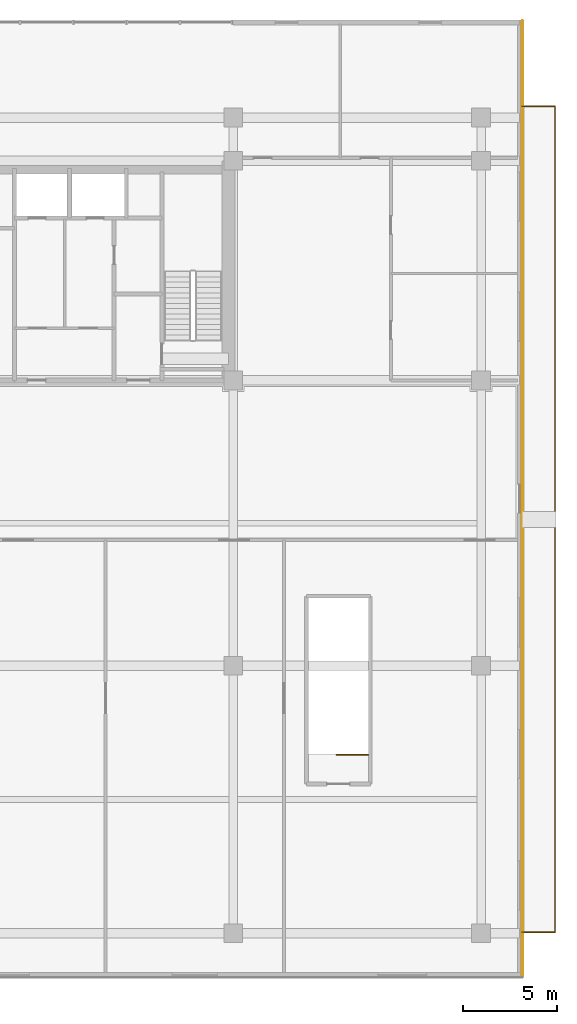
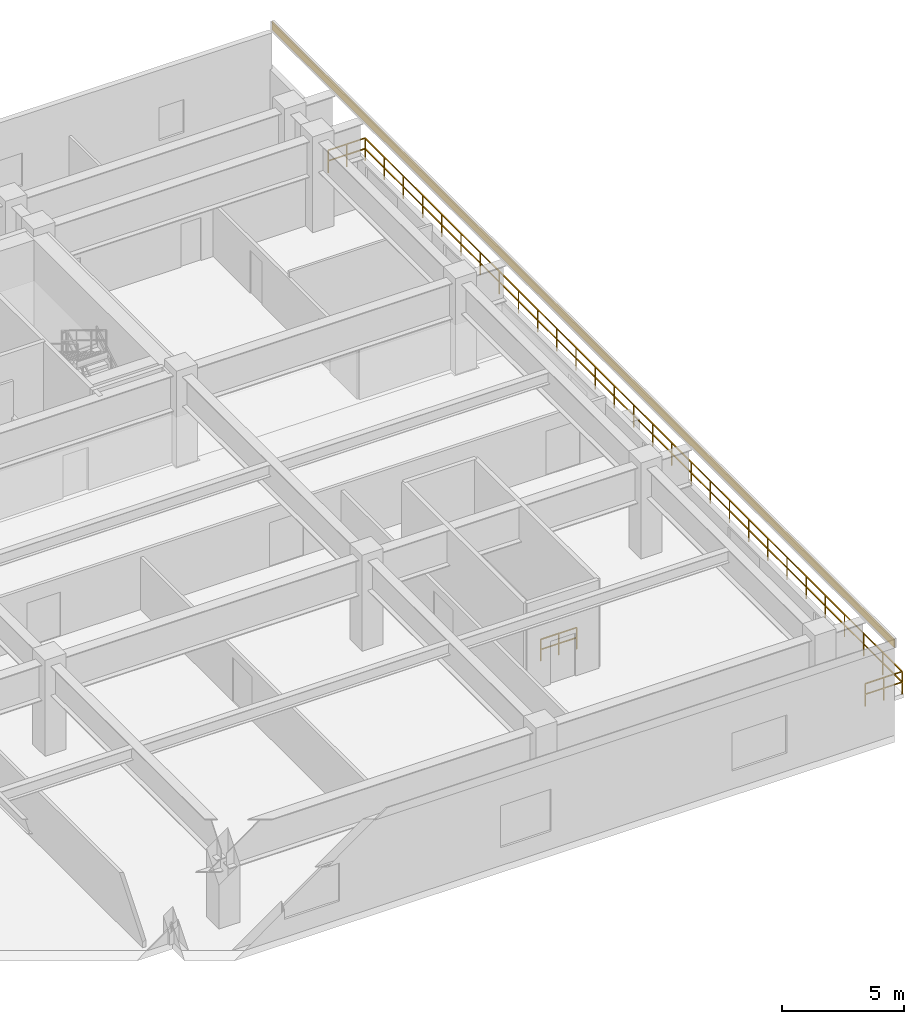
# One storey, part 17 of 17: 4 railings, 1 covering.
"""IFC4 building model written with IfcOpenShell, lengths in metres."""

from ifc_helpers import new_model, si_unit, direction, frame, origin, origin_2d, place, context, subcontext, project, spatial, rectangle, extrude, source, transform, mapped, material, layer, layer_set, type_object, element, save


model = new_model("IFC4")

# Units and contexts
model_context = context("Model", 3, precision=1e-05, world=origin(), true_north=direction((0.0, 1.0)))
body_context = subcontext(model_context, "Body", "Model", "MODEL_VIEW")
ifc_project = project(units=[si_unit("LENGTHUNIT", "METRE"), si_unit("AREAUNIT", "SQUARE_METRE"), si_unit("VOLUMEUNIT", "CUBIC_METRE"), si_unit("PLANEANGLEUNIT", "RADIAN"), si_unit("MASSUNIT", "GRAM", prefix="KILO")], contexts=[model_context])

# Site, building, storey
site_placement = place(None, origin())
site = spatial("IfcSite", under=ifc_project, at=site_placement, CompositionType="ELEMENT")
building_placement = place(site_placement, origin())
building = spatial("IfcBuilding", under=site, at=building_placement, Name="Trelvane Seafront Commons", CompositionType="ELEMENT")
storey_placement = place(building_placement, frame((0.0, 0.0, 18.699951171875)))
storey = spatial("IfcBuildingStorey", under=building, at=storey_placement, Name="L04", CompositionType="ELEMENT", Elevation=18.699951171875)

# Railings
ifc_material_1 = material(Name="Stainless steel balustrade", Category="steel")
railing_type_1 = type_object("IfcRailingType", Name="ARCH-RAIL-BAL1150", PredefinedType="BALUSTRADE", material=ifc_material_1)
railing_1_placement = place(storey_placement, frame((74.199951171875, 4.0, 0.0)))
element("IfcRailing", 1, at=railing_1_placement, inside=storey, type_object=railing_type_1, Name="RL-L04-TR1-01", PredefinedType="BALUSTRADE", context=body_context, shape_type="SweptSolid", body=[
    extrude(rectangle(XDim=0.048095703125, YDim=0.048095703125, at=origin_2d()), frame((0.0, 0.0, 1.1259765625), z_axis=(1.0, 0.0, 0.0), x_axis=(0.0, 1.0, 0.0)), (0.0, 0.0, 1.0), 1.739990234375),
    extrude(rectangle(XDim=0.048095703125, YDim=0.048095703125, at=origin_2d()), frame((0.0, 0.0, 0.597900390625), z_axis=(1.0, 0.0, 0.0), x_axis=(0.0, 1.0, 0.0)), (0.0, 0.0, 1.0), 1.739990234375),
    extrude(rectangle(XDim=0.0419921875, YDim=0.0419921875, at=origin_2d()), origin(), (0.0, 0.0, 1.0), 1.1259765625),
    extrude(rectangle(XDim=0.0419921875, YDim=0.0419921875, at=origin_2d()), frame((0.8701171875, 0.0, 0.0)), (0.0, 0.0, 1.0), 1.1259765625),
    extrude(rectangle(XDim=0.0419921875, YDim=0.0419921875, at=origin_2d()), frame((1.739990234375, 0.0, 0.0)), (0.0, 0.0, 1.0), 1.1259765625),
])
railing_2_placement = place(storey_placement, frame((75.93994140625, 4.0, 0.0)))
element("IfcRailing", 2, at=railing_2_placement, inside=storey, type_object=railing_type_1, Name="RL-L04-TR1-02", PredefinedType="BALUSTRADE", context=body_context, shape_type="SweptSolid", body=[
    extrude(rectangle(XDim=0.048095703125, YDim=0.048095703125, at=origin_2d()), frame((0.0, 0.0, 1.1259765625), z_axis=(0.0, 1.0, 0.0), x_axis=(-1.0, 0.0, 0.0)), (0.0, 0.0, 1.0), 44.0),
    extrude(rectangle(XDim=0.048095703125, YDim=0.048095703125, at=origin_2d()), frame((0.0, 0.0, 0.597900390625), z_axis=(0.0, 1.0, 0.0), x_axis=(-1.0, 0.0, 0.0)), (0.0, 0.0, 1.0), 44.0),
    extrude(rectangle(XDim=0.0419921875, YDim=0.0419921875, at=origin_2d()), origin(), (0.0, 0.0, 1.0), 1.1259765625),
    extrude(rectangle(XDim=0.0419921875, YDim=0.0419921875, at=origin_2d()), frame((0.0, 1.571533203125, 0.0)), (0.0, 0.0, 1.0), 1.1259765625),
    extrude(rectangle(XDim=0.0419921875, YDim=0.0419921875, at=origin_2d()), frame((0.0, 3.142822265625, 0.0)), (0.0, 0.0, 1.0), 1.1259765625),
    extrude(rectangle(XDim=0.0419921875, YDim=0.0419921875, at=origin_2d()), frame((0.0, 4.71435546875, 0.0)), (0.0, 0.0, 1.0), 1.1259765625),
    extrude(rectangle(XDim=0.0419921875, YDim=0.0419921875, at=origin_2d()), frame((0.0, 6.28564453125, 0.0)), (0.0, 0.0, 1.0), 1.1259765625),
    extrude(rectangle(XDim=0.0419921875, YDim=0.0419921875, at=origin_2d()), frame((0.0, 7.857177734375, 0.0)), (0.0, 0.0, 1.0), 1.1259765625),
    extrude(rectangle(XDim=0.0419921875, YDim=0.0419921875, at=origin_2d()), frame((0.0, 9.428466796875, 0.0)), (0.0, 0.0, 1.0), 1.1259765625),
    extrude(rectangle(XDim=0.0419921875, YDim=0.0419921875, at=origin_2d()), frame((0.0, 11.0, 0.0)), (0.0, 0.0, 1.0), 1.1259765625),
    extrude(rectangle(XDim=0.0419921875, YDim=0.0419921875, at=origin_2d()), frame((0.0, 12.571533203125, 0.0)), (0.0, 0.0, 1.0), 1.1259765625),
    extrude(rectangle(XDim=0.0419921875, YDim=0.0419921875, at=origin_2d()), frame((0.0, 14.142822265625, 0.0)), (0.0, 0.0, 1.0), 1.1259765625),
    extrude(rectangle(XDim=0.0419921875, YDim=0.0419921875, at=origin_2d()), frame((0.0, 15.71435546875, 0.0)), (0.0, 0.0, 1.0), 1.1259765625),
    extrude(rectangle(XDim=0.0419921875, YDim=0.0419921875, at=origin_2d()), frame((0.0, 17.28564453125, 0.0)), (0.0, 0.0, 1.0), 1.1259765625),
    extrude(rectangle(XDim=0.0419921875, YDim=0.0419921875, at=origin_2d()), frame((0.0, 18.857177734375, 0.0)), (0.0, 0.0, 1.0), 1.1259765625),
    extrude(rectangle(XDim=0.0419921875, YDim=0.0419921875, at=origin_2d()), frame((0.0, 20.428466796875, 0.0)), (0.0, 0.0, 1.0), 1.1259765625),
    extrude(rectangle(XDim=0.0419921875, YDim=0.0419921875, at=origin_2d()), frame((0.0, 22.0, 0.0)), (0.0, 0.0, 1.0), 1.1259765625),
    extrude(rectangle(XDim=0.0419921875, YDim=0.0419921875, at=origin_2d()), frame((0.0, 23.571533203125, 0.0)), (0.0, 0.0, 1.0), 1.1259765625),
    extrude(rectangle(XDim=0.0419921875, YDim=0.0419921875, at=origin_2d()), frame((0.0, 25.142822265625, 0.0)), (0.0, 0.0, 1.0), 1.1259765625),
    extrude(rectangle(XDim=0.0419921875, YDim=0.0419921875, at=origin_2d()), frame((0.0, 26.71435546875, 0.0)), (0.0, 0.0, 1.0), 1.1259765625),
    extrude(rectangle(XDim=0.0419921875, YDim=0.0419921875, at=origin_2d()), frame((0.0, 28.28564453125, 0.0)), (0.0, 0.0, 1.0), 1.1259765625),
    extrude(rectangle(XDim=0.0419921875, YDim=0.0419921875, at=origin_2d()), frame((0.0, 29.857177734375, 0.0)), (0.0, 0.0, 1.0), 1.1259765625),
    extrude(rectangle(XDim=0.0419921875, YDim=0.0419921875, at=origin_2d()), frame((0.0, 31.428466796875, 0.0)), (0.0, 0.0, 1.0), 1.1259765625),
    extrude(rectangle(XDim=0.0419921875, YDim=0.0419921875, at=origin_2d()), frame((0.0, 33.0, 0.0)), (0.0, 0.0, 1.0), 1.1259765625),
    extrude(rectangle(XDim=0.0419921875, YDim=0.0419921875, at=origin_2d()), frame((0.0, 34.571533203125, 0.0)), (0.0, 0.0, 1.0), 1.1259765625),
    extrude(rectangle(XDim=0.0419921875, YDim=0.0419921875, at=origin_2d()), frame((0.0, 36.142822265625, 0.0)), (0.0, 0.0, 1.0), 1.1259765625),
    extrude(rectangle(XDim=0.0419921875, YDim=0.0419921875, at=origin_2d()), frame((0.0, 37.71435546875, 0.0)), (0.0, 0.0, 1.0), 1.1259765625),
    extrude(rectangle(XDim=0.0419921875, YDim=0.0419921875, at=origin_2d()), frame((0.0, 39.28564453125, 0.0)), (0.0, 0.0, 1.0), 1.1259765625),
    extrude(rectangle(XDim=0.0419921875, YDim=0.0419921875, at=origin_2d()), frame((0.0, 40.857177734375, 0.0)), (0.0, 0.0, 1.0), 1.1259765625),
    extrude(rectangle(XDim=0.0419921875, YDim=0.0419921875, at=origin_2d()), frame((0.0, 42.428466796875, 0.0)), (0.0, 0.0, 1.0), 1.1259765625),
    extrude(rectangle(XDim=0.0419921875, YDim=0.0419921875, at=origin_2d()), frame((0.0, 44.0, 0.0)), (0.0, 0.0, 1.0), 1.1259765625),
])
railing_3_placement = place(storey_placement, frame((75.93994140625, 48.0, 0.0)))
element("IfcRailing", 3, at=railing_3_placement, inside=storey, type_object=railing_type_1, Name="RL-L04-TR1-03", PredefinedType="BALUSTRADE", context=body_context, shape_type="SweptSolid", body=[
    extrude(rectangle(XDim=0.048095703125, YDim=0.048095703125, at=origin_2d()), frame((0.0, 0.0, 1.1259765625), z_axis=(-1.0, 0.0, 0.0), x_axis=(0.0, -1.0, 0.0)), (0.0, 0.0, 1.0), 1.739990234375),
    extrude(rectangle(XDim=0.048095703125, YDim=0.048095703125, at=origin_2d()), frame((0.0, 0.0, 0.597900390625), z_axis=(-1.0, 0.0, 0.0), x_axis=(0.0, -1.0, 0.0)), (0.0, 0.0, 1.0), 1.739990234375),
    extrude(rectangle(XDim=0.0419921875, YDim=0.0419921875, at=origin_2d()), origin(), (0.0, 0.0, 1.0), 1.1259765625),
    extrude(rectangle(XDim=0.0419921875, YDim=0.0419921875, at=origin_2d()), frame((-0.8701171875, 0.0, 0.0)), (0.0, 0.0, 1.0), 1.1259765625),
    extrude(rectangle(XDim=0.0419921875, YDim=0.0419921875, at=origin_2d()), frame((-1.739990234375, 0.0, 0.0)), (0.0, 0.0, 1.0), 1.1259765625),
])
railing_type_2 = type_object("IfcRailingType", Name="ARCH-SRL-GUARD", PredefinedType="GUARDRAIL", material=ifc_material_1)
railing_4_placement = place(storey_placement, frame((66.0, 13.449951171875, 0.0)))
element("IfcRailing", 4, at=railing_4_placement, inside=storey, type_object=railing_type_2, Name="L04 ST-4 top well guard 1", PredefinedType="GUARDRAIL", context=body_context, shape_type="SweptSolid", body=[
    extrude(rectangle(XDim=0.048095703125, YDim=0.048095703125, at=origin_2d()), frame((0.0, 0.0, 1.076171875), z_axis=(-1.0, 0.0, 0.0), x_axis=(0.0, -1.0, 0.0)), (0.0, 0.0, 1.0), 1.699951171875),
    extrude(rectangle(XDim=0.048095703125, YDim=0.048095703125, at=origin_2d()), frame((0.0, 0.0, 0.572021484375), z_axis=(-1.0, 0.0, 0.0), x_axis=(0.0, -1.0, 0.0)), (0.0, 0.0, 1.0), 1.699951171875),
    extrude(rectangle(XDim=0.0419921875, YDim=0.0419921875, at=origin_2d()), origin(), (0.0, 0.0, 1.0), 1.076171875),
    extrude(rectangle(XDim=0.0419921875, YDim=0.0419921875, at=origin_2d()), frame((-0.85009765625, 0.0, 0.0)), (0.0, 0.0, 1.0), 1.076171875),
    extrude(rectangle(XDim=0.0419921875, YDim=0.0419921875, at=origin_2d()), frame((-1.699951171875, 0.0, 0.0)), (0.0, 0.0, 1.0), 1.076171875),
])

# Covering
ifc_material_2 = material(Name="Anodised pale-silver aluminium", Category="aluminium")
ifc_layer = layer(ifc_material_2, 0.034912109375, Name="ARCH-COV-CLAD35")
ifc_layer_set = layer_set([ifc_layer], Name="Anodised pale-silver aluminium")
covering_type = type_object("IfcCoveringType", Name="ARCH-COV-CLAD35", PredefinedType="CLADDING", material=ifc_layer_set)
shared_shape = source(origin(), body_context, "Body", "SweptSolid", [
    extrude(rectangle(XDim=51.0, YDim=0.034912109375, at=origin_2d()), origin(), (0.0, 0.0, 1.0), 0.419921875),
])
covering_placement = place(storey_placement, frame((74.199951171875, 27.10009765625, 4.380126953125), z_axis=(0.0, 0.0, 1.0), x_axis=(0.0, -1.0, 0.0)))
element("IfcCovering", 5, at=covering_placement, inside=storey, type_object=covering_type, Name="CLD-L04-00033", PredefinedType="CLADDING", context=body_context, shape_type="MappedRepresentation", body=[
    mapped(shared_shape, transform((0.0, 0.0, 0.0), x_axis=(1.0, 0.0, 0.0), y_axis=(0.0, 1.0, 0.0), z_axis=(0.0, 0.0, 1.0), scale=1.0)),
])

save(model, "model.ifc")
